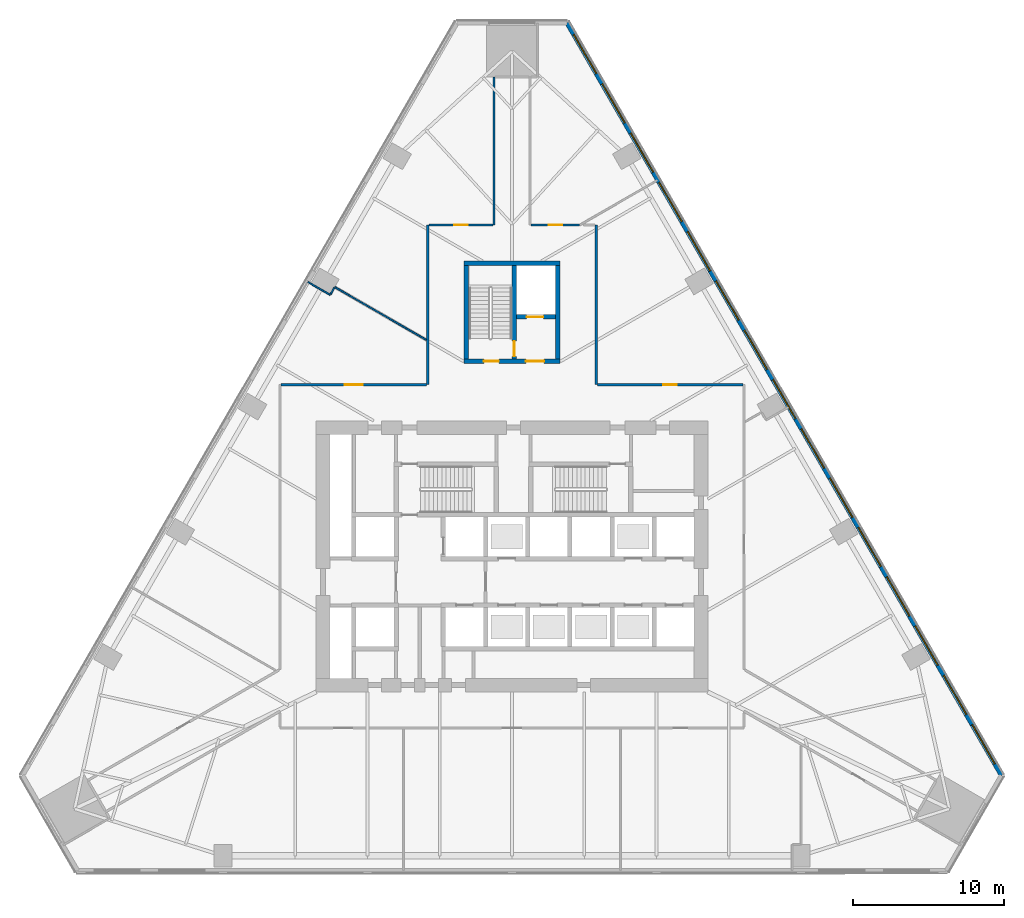
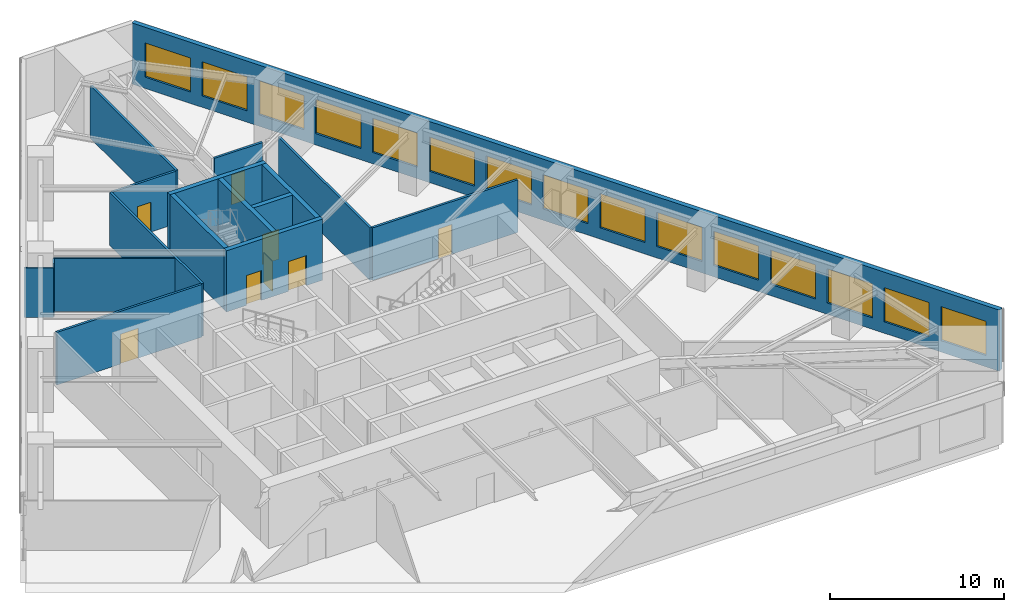
# One storey, part 6 of 14: 17 walls, 15 windows, 8 doors, 23 openings.
"""IFC4 building model written with IfcOpenShell, lengths in metres."""

from ifc_helpers import new_model, si_unit, direction, frame, frame_2d, origin, place, context, subcontext, project, spatial, rectangle, extrude, material, layer, layer_set, type_object, element, fill, save


model = new_model("IFC4")

# Units and contexts
model_context = context("Model", 3, precision=1e-05, world=origin(), true_north=direction((0.0, 1.0)))
body_context = subcontext(model_context, "Body", "Model", "MODEL_VIEW")
ifc_project = project(units=[si_unit("LENGTHUNIT", "METRE"), si_unit("AREAUNIT", "SQUARE_METRE"), si_unit("VOLUMEUNIT", "CUBIC_METRE"), si_unit("PLANEANGLEUNIT", "RADIAN"), si_unit("MASSUNIT", "GRAM", prefix="KILO")], contexts=[model_context])

# Site, building, storey
site_placement = place(None, origin())
site = spatial("IfcSite", under=ifc_project, at=site_placement, CompositionType="ELEMENT")
building_placement = place(site_placement, origin())
building = spatial("IfcBuilding", under=site, at=building_placement, Name="Firuza Gate Tower and Library", CompositionType="ELEMENT")
storey_placement = place(building_placement, frame((0.0, 0.0, 35.5)))
storey = spatial("IfcBuildingStorey", under=building, at=storey_placement, Name="L07", CompositionType="ELEMENT", Elevation=35.5)

# Wall, openings, doors
ifc_material_1 = material(Name="Concrete C80/95", Category="concrete")
ifc_layer_1 = layer(ifc_material_1, 0.300048828125)
ifc_layer_set_1 = layer_set([ifc_layer_1], Name="Core wall 300 C80/95")
wall_type_1 = type_object("IfcWallType", Name="Core wall 300 C80/95", PredefinedType="SHEAR", material=ifc_layer_set_1)
wall_1_placement = place(storey_placement, frame((71.800048828125, 87.949951171875, 0.0), z_axis=(0.0, 0.0, 1.0), x_axis=(1.0, 0.0, 0.0)))
wall_1 = element("IfcWall", 1, at=wall_1_placement, inside=storey, type_object=wall_type_1, Name="Core wall L07 34", PredefinedType="SHEAR", context=body_context, shape_type="SweptSolid", body=[
    extrude(rectangle(XDim=6.39990234375, YDim=0.300048828125, at=frame_2d((3.199951171875, 0.0))), origin(), (0.0, 0.0, 1.0), 4.300048828125),
])
opening_1_placement = place(wall_1_placement, frame((1.324951171875, 0.0, 0.0)))
opening_1 = element("IfcOpeningElement", 2, at=opening_1_placement, cuts=wall_1, Name="Opening L07-K17", PredefinedType="OPENING", context=body_context, shape_type="SweptSolid", body=[
    extrude(rectangle(XDim=1.0, YDim=2.10009765625, at=frame_2d((0.5, 1.050048828125))), frame((0.0, 0.16015625, 0.0), z_axis=(0.0, -1.0, 0.0), x_axis=(1.0, 0.0, 0.0)), (0.0, 0.0, 1.0), 0.320068359375),
])
opening_2_placement = place(wall_1_placement, frame((4.125, 0.0, 0.0)))
opening_2 = element("IfcOpeningElement", 3, at=opening_2_placement, cuts=wall_1, Name="Opening L07-K19", PredefinedType="OPENING", context=body_context, shape_type="SweptSolid", body=[
    extrude(rectangle(XDim=1.199951171875, YDim=2.10009765625, at=frame_2d((0.60009765625, 1.050048828125))), frame((0.0, 0.16015625, 0.0), z_axis=(0.0, -1.0, 0.0), x_axis=(1.0, 0.0, 0.0)), (0.0, 0.0, 1.0), 0.320068359375),
])
ifc_material_2 = material(Name="Steel", Category="steel")
door_type_1 = type_object("IfcDoorType", Name="Fire door 1000x2100 FD90", OperationType="NOTDEFINED", PredefinedType="DOOR", material=ifc_material_2)
door_1_placement = place(opening_1_placement, origin())
door_1 = element("IfcDoor", 4, at=door_1_placement, inside=storey, type_object=door_type_1, Name="Door L07-K17", OperationType="SINGLE_SWING_RIGHT", OverallHeight=2.10009765625, OverallWidth=1.0, PredefinedType="DOOR", context=body_context, shape_type="SweptSolid", body=[
    extrude(rectangle(XDim=1.0, YDim=2.10009765625, at=frame_2d((0.5, 1.050048828125))), frame((0.0, 0.02490234375, 0.0), z_axis=(0.0, -1.0, 0.0), x_axis=(1.0, 0.0, 0.0)), (0.0, 0.0, 1.0), 0.050048828125),
])
fill(opening_1, door_1)
ifc_material_3 = material(Name="Steel", Category="steel")
door_type_2 = type_object("IfcDoorType", Name="Fire door 1200x2100 FD30S", OperationType="NOTDEFINED", PredefinedType="DOOR", material=ifc_material_3)
door_2_placement = place(opening_2_placement, origin())
door_2 = element("IfcDoor", 5, at=door_2_placement, inside=storey, type_object=door_type_2, Name="Door L07-K19", OperationType="SINGLE_SWING_RIGHT", OverallHeight=2.10009765625, OverallWidth=1.199951171875, PredefinedType="DOOR", context=body_context, shape_type="SweptSolid", body=[
    extrude(rectangle(XDim=1.199951171875, YDim=2.10009765625, at=frame_2d((0.60009765625, 1.050048828125))), frame((0.0, 0.02490234375, 0.0), z_axis=(0.0, -1.0, 0.0), x_axis=(1.0, 0.0, 0.0)), (0.0, 0.0, 1.0), 0.050048828125),
])
fill(opening_2, door_2)

# Walls
wall_2_placement = place(storey_placement, frame((71.800048828125, 94.449951171875, 0.0), z_axis=(0.0, 0.0, 1.0), x_axis=(1.0, 0.0, 0.0)))
element("IfcWall", 6, at=wall_2_placement, inside=storey, type_object=wall_type_1, Name="Core wall L07 35", PredefinedType="SHEAR", context=body_context, shape_type="SweptSolid", body=[
    extrude(rectangle(XDim=6.39990234375, YDim=0.300048828125, at=frame_2d((3.199951171875, 0.0))), origin(), (0.0, 0.0, 1.0), 4.300048828125),
])
for number, where, z_axis, x_axis, name in (
    (7, (71.949951171875, 88.10009765625, 0.0), (0.0, 0.0, 1.0), (0.0, 1.0, 0.0), "Core wall L07 36"),
    (8, (78.050048828125, 88.10009765625, 0.0), (0.0, 0.0, 1.0), (0.0, 1.0, 0.0), "Core wall L07 37"),
):
    element("IfcWall", number, at=place(storey_placement, frame(where, z_axis=z_axis, x_axis=x_axis)), inside=storey, type_object=wall_type_1, Name=name, PredefinedType="SHEAR", context=body_context, shape_type="SweptSolid", body=[
        extrude(rectangle(XDim=6.199951171875, YDim=0.300048828125, at=frame_2d((3.10009765625, 0.0))), origin(), (0.0, 0.0, 1.0), 4.300048828125),
    ])

# Wall, opening, door
wall_3_placement = place(storey_placement, frame((75.300048828125, 90.89990234375, 0.0), z_axis=(0.0, 0.0, 1.0), x_axis=(1.0, 0.0, 0.0)))
wall_3 = element("IfcWall", 9, at=wall_3_placement, inside=storey, type_object=wall_type_1, Name="Core wall L07 38", PredefinedType="SHEAR", context=body_context, shape_type="SweptSolid", body=[
    extrude(rectangle(XDim=2.599853515625, YDim=0.300048828125, at=frame_2d((1.2998046875, 0.0))), origin(), (0.0, 0.0, 1.0), 4.300048828125),
])
opening_3_placement = place(wall_3_placement, frame((0.675048828125, 0.0, 0.0)))
opening_3 = element("IfcOpeningElement", 10, at=opening_3_placement, cuts=wall_3, Name="Opening LD-SV1-L07", PredefinedType="OPENING", context=body_context, shape_type="SweptSolid", body=[
    extrude(rectangle(XDim=1.10009765625, YDim=2.10009765625, at=frame_2d((0.550048828125, 1.050048828125))), frame((0.0, 0.16015625, 0.0), z_axis=(0.0, -1.0, 0.0), x_axis=(1.0, 0.0, 0.0)), (0.0, 0.0, 1.0), 0.320068359375),
])
ifc_material_4 = material(Name="Stainless steel", Category="steel")
door_type_3 = type_object("IfcDoorType", Name="Lift landing door 1100x2100", OperationType="DOUBLE_DOOR_SLIDING", PredefinedType="DOOR", material=ifc_material_4)
door_3_placement = place(opening_3_placement, origin())
door_3 = element("IfcDoor", 11, at=door_3_placement, inside=storey, type_object=door_type_3, Name="Landing door SV1 L07", OperationType="DOUBLE_DOOR_SLIDING", OverallHeight=2.10009765625, OverallWidth=1.10009765625, PredefinedType="DOOR", context=body_context, shape_type="SweptSolid", body=[
    extrude(rectangle(XDim=1.10009765625, YDim=2.10009765625, at=frame_2d((0.550048828125, 1.050048828125))), frame((0.0, 0.02490234375, 0.0), z_axis=(0.0, -1.0, 0.0), x_axis=(1.0, 0.0, 0.0)), (0.0, 0.0, 1.0), 0.050048828125),
])
fill(opening_3, door_3)

wall_4_placement = place(storey_placement, frame((75.14990234375, 88.10009765625, 0.0), z_axis=(0.0, 0.0, 1.0), x_axis=(0.0, 1.0, 0.0)))
wall_4 = element("IfcWall", 12, at=wall_4_placement, inside=storey, type_object=wall_type_1, Name="Core wall L07 39", PredefinedType="SHEAR", context=body_context, shape_type="SweptSolid", body=[
    extrude(rectangle(XDim=6.199951171875, YDim=0.300048828125, at=frame_2d((3.10009765625, 0.0))), origin(), (0.0, 0.0, 1.0), 4.300048828125),
])
opening_4_placement = place(wall_4_placement, frame((0.18505859375, 0.0, 0.0)))
opening_4 = element("IfcOpeningElement", 13, at=opening_4_placement, cuts=wall_4, Name="Opening L07-K18", PredefinedType="OPENING", context=body_context, shape_type="SweptSolid", body=[
    extrude(rectangle(XDim=1.0, YDim=2.10009765625, at=frame_2d((0.5, 1.050048828125))), frame((0.0, 0.16015625, 0.0), z_axis=(0.0, -1.0, 0.0), x_axis=(1.0, 0.0, 0.0)), (0.0, 0.0, 1.0), 0.320068359375),
])
door_4_placement = place(opening_4_placement, origin())
door_4 = element("IfcDoor", 14, at=door_4_placement, inside=storey, type_object=door_type_1, Name="Door L07-K18", OperationType="SINGLE_SWING_LEFT", OverallHeight=2.10009765625, OverallWidth=1.0, PredefinedType="DOOR", context=body_context, shape_type="SweptSolid", body=[
    extrude(rectangle(XDim=1.0, YDim=2.10009765625, at=frame_2d((0.5, 1.050048828125))), frame((0.0, 0.02490234375, 0.0), z_axis=(0.0, -1.0, 0.0), x_axis=(1.0, 0.0, 0.0)), (0.0, 0.0, 1.0), 0.050048828125),
])
fill(opening_4, door_4)

ifc_material_5 = material(Name="Gypsum board partition")
ifc_layer_2 = layer(ifc_material_5, 0.14990234375)
ifc_layer_set_2 = layer_set([ifc_layer_2], Name="Corridor wall 150 double board on steel studs")
wall_type_2 = type_object("IfcWallType", Name="Corridor wall 150 double board on steel studs", PredefinedType="PARTITIONING", material=ifc_layer_set_2)
wall_5_placement = place(storey_placement, frame((69.324951171875, 86.39990234375, 0.0), z_axis=(0.0, 0.0, 1.0), x_axis=(-1.0, 0.0, 0.0)))
wall_5 = element("IfcWall", 15, at=wall_5_placement, inside=storey, type_object=wall_type_2, Name="f:L07:w002", PredefinedType="PARTITIONING", context=body_context, shape_type="SweptSolid", body=[
    extrude(rectangle(XDim=9.6494140625, YDim=0.14990234375, at=frame_2d((4.82470703125, 0.0))), origin(), (0.0, 0.0, 1.0), 3.699951171875),
])
opening_5_placement = place(wall_5_placement, frame((4.224853515625, 0.0, 0.0)))
opening_5 = element("IfcOpeningElement", 16, at=opening_5_placement, cuts=wall_5, Name="Opening L07-04", PredefinedType="OPENING", context=body_context, shape_type="SweptSolid", body=[
    extrude(rectangle(XDim=1.199951171875, YDim=2.10009765625, at=frame_2d((0.60009765625, 1.050048828125))), frame((0.0, 0.0849609375, 0.0), z_axis=(0.0, -1.0, 0.0), x_axis=(1.0, 0.0, 0.0)), (0.0, 0.0, 1.0), 0.169921875),
])
ifc_material_6 = material(Name="Steel door and timber leaf", Category="steel")
door_type_4 = type_object("IfcDoorType", Name="Fire door 1200 x 2100 steel frame, double leaf", OperationType="NOTDEFINED", PredefinedType="DOOR", material=ifc_material_6)
door_5_placement = place(opening_5_placement, origin())
door_5 = element("IfcDoor", 17, at=door_5_placement, inside=storey, type_object=door_type_4, Name="f:L07:d004", OperationType="DOUBLE_DOOR_SINGLE_SWING", OverallHeight=2.10009765625, OverallWidth=1.199951171875, PredefinedType="DOOR", context=body_context, shape_type="SweptSolid", body=[
    extrude(rectangle(XDim=1.199951171875, YDim=2.10009765625, at=frame_2d((0.60009765625, 1.050048828125))), frame((0.0, 0.02490234375, 0.0), z_axis=(0.0, -1.0, 0.0), x_axis=(1.0, 0.0, 0.0)), (0.0, 0.0, 1.0), 0.050048828125),
])
fill(opening_5, door_5)

wall_6_placement = place(storey_placement, frame((80.675048828125, 86.39990234375, 0.0), z_axis=(0.0, 0.0, 1.0), x_axis=(1.0, 0.0, 0.0)))
wall_6 = element("IfcWall", 18, at=wall_6_placement, inside=storey, type_object=wall_type_2, Name="f:L07:w003", PredefinedType="PARTITIONING", context=body_context, shape_type="SweptSolid", body=[
    extrude(rectangle(XDim=9.6494140625, YDim=0.14990234375, at=frame_2d((4.82470703125, 0.0))), origin(), (0.0, 0.0, 1.0), 3.699951171875),
])
opening_6_placement = place(wall_6_placement, frame((4.374755859375, 0.0, 0.0)))
opening_6 = element("IfcOpeningElement", 19, at=opening_6_placement, cuts=wall_6, Name="Opening L07-05", PredefinedType="OPENING", context=body_context, shape_type="SweptSolid", body=[
    extrude(rectangle(XDim=0.89990234375, YDim=2.10009765625, at=frame_2d((0.449951171875, 1.050048828125))), frame((0.0, 0.0849609375, 0.0), z_axis=(0.0, -1.0, 0.0), x_axis=(1.0, 0.0, 0.0)), (0.0, 0.0, 1.0), 0.169921875),
])
ifc_material_7 = material(Name="Steel door and timber leaf", Category="steel")
door_type_5 = type_object("IfcDoorType", Name="Fire door 900 x 2100 steel frame, timber leaf", OperationType="NOTDEFINED", PredefinedType="DOOR", material=ifc_material_7)
door_6_placement = place(opening_6_placement, origin())
door_6 = element("IfcDoor", 20, at=door_6_placement, inside=storey, type_object=door_type_5, Name="f:L07:d005", OperationType="SINGLE_SWING_RIGHT", OverallHeight=2.10009765625, OverallWidth=0.89990234375, PredefinedType="DOOR", context=body_context, shape_type="SweptSolid", body=[
    extrude(rectangle(XDim=0.89990234375, YDim=2.10009765625, at=frame_2d((0.449951171875, 1.050048828125))), frame((0.0, 0.02490234375, 0.0), z_axis=(0.0, -1.0, 0.0), x_axis=(1.0, 0.0, 0.0)), (0.0, 0.0, 1.0), 0.050048828125),
])
fill(opening_6, door_6)

wall_7_placement = place(storey_placement, frame((69.4755859375, 97.0, 0.0), z_axis=(0.0, 0.0, 1.0), x_axis=(1.0, 0.0, 0.0)))
wall_7 = element("IfcWall", 21, at=wall_7_placement, inside=storey, type_object=wall_type_2, Name="f:L07:w004", PredefinedType="PARTITIONING", context=body_context, shape_type="SweptSolid", body=[
    extrude(rectangle(XDim=4.24951171875, YDim=0.14990234375, at=frame_2d((2.124755859375, 0.0))), origin(), (0.0, 0.0, 1.0), 3.699951171875),
])
opening_7_placement = place(wall_7_placement, frame((1.6748046875, 0.0, 0.0)))
opening_7 = element("IfcOpeningElement", 22, at=opening_7_placement, cuts=wall_7, Name="Opening L07-06", PredefinedType="OPENING", context=body_context, shape_type="SweptSolid", body=[
    extrude(rectangle(XDim=0.89990234375, YDim=2.10009765625, at=frame_2d((0.449951171875, 1.050048828125))), frame((0.0, 0.0849609375, 0.0), z_axis=(0.0, -1.0, 0.0), x_axis=(1.0, 0.0, 0.0)), (0.0, 0.0, 1.0), 0.169921875),
])
door_7_placement = place(opening_7_placement, origin())
door_7 = element("IfcDoor", 23, at=door_7_placement, inside=storey, type_object=door_type_5, Name="f:L07:d006", OperationType="SINGLE_SWING_RIGHT", OverallHeight=2.10009765625, OverallWidth=0.89990234375, PredefinedType="DOOR", context=body_context, shape_type="SweptSolid", body=[
    extrude(rectangle(XDim=0.89990234375, YDim=2.10009765625, at=frame_2d((0.449951171875, 1.050048828125))), frame((0.0, 0.02490234375, 0.0), z_axis=(0.0, -1.0, 0.0), x_axis=(1.0, 0.0, 0.0)), (0.0, 0.0, 1.0), 0.050048828125),
])
fill(opening_7, door_7)

wall_8_placement = place(storey_placement, frame((76.27490234375, 97.0, 0.0), z_axis=(0.0, 0.0, 1.0), x_axis=(1.0, 0.0, 0.0)))
wall_8 = element("IfcWall", 24, at=wall_8_placement, inside=storey, type_object=wall_type_2, Name="f:L07:w005", PredefinedType="PARTITIONING", context=body_context, shape_type="SweptSolid", body=[
    extrude(rectangle(XDim=3.205078125, YDim=0.14990234375, at=frame_2d((1.6025390625, 0.0))), origin(), (0.0, 0.0, 1.0), 3.699951171875),
])
opening_8_placement = place(wall_8_placement, frame((1.152587890625, 0.0, 0.0)))
opening_8 = element("IfcOpeningElement", 25, at=opening_8_placement, cuts=wall_8, Name="Opening L07-07", PredefinedType="OPENING", context=body_context, shape_type="SweptSolid", body=[
    extrude(rectangle(XDim=0.89990234375, YDim=2.10009765625, at=frame_2d((0.449951171875, 1.050048828125))), frame((0.0, 0.0849609375, 0.0), z_axis=(0.0, -1.0, 0.0), x_axis=(1.0, 0.0, 0.0)), (0.0, 0.0, 1.0), 0.169921875),
])
door_8_placement = place(opening_8_placement, origin())
door_8 = element("IfcDoor", 26, at=door_8_placement, inside=storey, type_object=door_type_5, Name="f:L07:d007", OperationType="SINGLE_SWING_LEFT", OverallHeight=2.10009765625, OverallWidth=0.89990234375, PredefinedType="DOOR", context=body_context, shape_type="SweptSolid", body=[
    extrude(rectangle(XDim=0.89990234375, YDim=2.10009765625, at=frame_2d((0.449951171875, 1.050048828125))), frame((0.0, 0.02490234375, 0.0), z_axis=(0.0, -1.0, 0.0), x_axis=(1.0, 0.0, 0.0)), (0.0, 0.0, 1.0), 0.050048828125),
])
fill(opening_8, door_8)

# Walls
wall_9_placement = place(storey_placement, frame((80.60009765625, 86.39990234375, 0.0), z_axis=(0.0, 0.0, 1.0), x_axis=(0.0, 1.0, 0.0)))
element("IfcWall", 27, at=wall_9_placement, inside=storey, type_object=wall_type_2, Name="f:L07:w020", PredefinedType="PARTITIONING", context=body_context, shape_type="SweptSolid", body=[
    extrude(rectangle(XDim=10.599609375, YDim=0.14990234375, at=frame_2d((5.2998046875, 0.0))), origin(), (0.0, 0.0, 1.0), 3.699951171875),
])
wall_10_placement = place(storey_placement, frame((73.800048828125, 97.0, 0.0), z_axis=(0.0, 0.0, 1.0), x_axis=(0.0, 1.0, 0.0)))
element("IfcWall", 28, at=wall_10_placement, inside=storey, type_object=wall_type_2, Name="f:L07:w023", PredefinedType="PARTITIONING", context=body_context, shape_type="SweptSolid", body=[
    extrude(rectangle(XDim=9.833251953125, YDim=0.14990234375, at=frame_2d((4.91650390625, 0.0))), origin(), (0.0, 0.0, 1.0), 3.699951171875),
])
wall_11_placement = place(storey_placement, frame((69.39990234375, 86.39990234375, 0.0), z_axis=(0.0, 0.0, 1.0), x_axis=(0.0, 1.0, 0.0)))
element("IfcWall", 29, at=wall_11_placement, inside=storey, type_object=wall_type_2, Name="f:L07:w024", PredefinedType="PARTITIONING", context=body_context, shape_type="SweptSolid", body=[
    extrude(rectangle(XDim=10.599609375, YDim=0.14990234375, at=frame_2d((5.2998046875, 0.0))), origin(), (0.0, 0.0, 1.0), 3.699951171875),
])
ifc_material_8 = material(Name="Gypsum board partition")
ifc_layer_3 = layer(ifc_material_8, 0.10009765625)
ifc_layer_set_3 = layer_set([ifc_layer_3], Name="Partition 100 gypsum board on steel studs")
wall_type_3 = type_object("IfcWallType", Name="Partition 100 gypsum board on steel studs", PredefinedType="PARTITIONING", material=ifc_layer_set_3)
wall_12_placement = place(storey_placement, frame((62.953857421875, 92.405517578125, 0.0), z_axis=(0.0, 0.0, 1.0), x_axis=(0.500187988959, 0.865916841101, 0.0)))
element("IfcWall", 30, at=wall_12_placement, inside=storey, type_object=wall_type_3, Name="f:L07:w014", PredefinedType="PARTITIONING", context=body_context, shape_type="SweptSolid", body=[
    extrude(rectangle(XDim=0.499267578125, YDim=0.10009765625, at=frame_2d((0.24951171875, 0.0))), origin(), (0.0, 0.0, 1.0), 3.699951171875),
])
wall_13_placement = place(storey_placement, frame((69.299072265625, 89.376708984375, 0.0), z_axis=(0.0, 0.0, 1.0), x_axis=(-0.8660353544, 0.499982764632, 0.0)))
element("IfcWall", 31, at=wall_13_placement, inside=storey, type_object=wall_type_3, Name="f:L07:w030", PredefinedType="PARTITIONING", context=body_context, shape_type="SweptSolid", body=[
    extrude(rectangle(XDim=7.009033203125, YDim=0.10009765625, at=frame_2d((3.50439453125, 0.0))), origin(), (0.0, 0.0, 1.0), 3.699951171875),
])
wall_14_placement = place(storey_placement, frame((62.928466796875, 92.36181640625, 0.0), z_axis=(0.0, 0.0, 1.0), x_axis=(-0.866026058841, 0.499998865407, 0.0)))
element("IfcWall", 32, at=wall_14_placement, inside=storey, type_object=wall_type_3, Name="f:L07:w031", PredefinedType="PARTITIONING", context=body_context, shape_type="SweptSolid", body=[
    extrude(rectangle(XDim=1.70751953125, YDim=0.10009765625, at=frame_2d((0.853759765625, 0.0))), origin(), (0.0, 0.0, 1.0), 3.465087890625),
])

# Wall, openings, windows
ifc_material_9 = material(Name="Concrete C40/50", Category="concrete")
ifc_layer_4 = layer(ifc_material_9, 0.300048828125)
ifc_layer_set_4 = layer_set([ifc_layer_4], Name="Plant louvre wall 300")
wall_type_4 = type_object("IfcWallType", Name="Plant louvre wall 300", PredefinedType="SOLIDWALL", material=ifc_layer_set_4)
wall_15_placement = place(storey_placement, frame((107.50390625, 60.45068359375, 0.0), z_axis=(0.0, 0.0, 1.0), x_axis=(-0.500000550228, 0.86602508611, 0.0)))
wall_15 = element("IfcWall", 33, at=wall_15_placement, inside=storey, type_object=wall_type_4, Name="Plant louvre wall 3", PredefinedType="SOLIDWALL", context=body_context, shape_type="SweptSolid", body=[
    extrude(rectangle(XDim=57.7041015625, YDim=0.300048828125, at=frame_2d((28.85205078125, 0.0))), origin(), (0.0, 0.0, 1.0), 4.300048828125),
])
opening_9_placement = place(wall_15_placement, frame((0.89013671875, 0.0, 0.800048828125)))
opening_9 = element("IfcOpeningElement", 34, at=opening_9_placement, cuts=wall_15, Name="Opening WD3-006", PredefinedType="OPENING", context=body_context, shape_type="SweptSolid", body=[
    extrude(rectangle(XDim=3.0, YDim=2.39990234375, at=frame_2d((1.5, 1.199951171875))), frame((0.0, 0.16015625, 0.0), z_axis=(0.0, -1.0, 0.0), x_axis=(1.0, 0.0, 0.0)), (0.0, 0.0, 1.0), 0.320068359375),
])
opening_10_placement = place(wall_15_placement, frame((4.67041015625, 0.0, 0.800048828125)))
opening_10 = element("IfcOpeningElement", 35, at=opening_10_placement, cuts=wall_15, Name="Opening WD3-007", PredefinedType="OPENING", context=body_context, shape_type="SweptSolid", body=[
    extrude(rectangle(XDim=3.0, YDim=2.39990234375, at=frame_2d((1.5, 1.199951171875))), frame((0.0, 0.16015625, 0.0), z_axis=(0.0, -1.0, 0.0), x_axis=(1.0, 0.0, 0.0)), (0.0, 0.0, 1.0), 0.320068359375),
])
opening_11_placement = place(wall_15_placement, frame((8.45068359375, 0.0, 0.800048828125)))
opening_11 = element("IfcOpeningElement", 36, at=opening_11_placement, cuts=wall_15, Name="Opening WD3-008", PredefinedType="OPENING", context=body_context, shape_type="SweptSolid", body=[
    extrude(rectangle(XDim=3.0, YDim=2.39990234375, at=frame_2d((1.5, 1.199951171875))), frame((0.0, 0.16015625, 0.0), z_axis=(0.0, -1.0, 0.0), x_axis=(1.0, 0.0, 0.0)), (0.0, 0.0, 1.0), 0.320068359375),
])
opening_12_placement = place(wall_15_placement, frame((12.23095703125, 0.0, 0.800048828125)))
opening_12 = element("IfcOpeningElement", 37, at=opening_12_placement, cuts=wall_15, Name="Opening WD3-009", PredefinedType="OPENING", context=body_context, shape_type="SweptSolid", body=[
    extrude(rectangle(XDim=3.0, YDim=2.39990234375, at=frame_2d((1.5, 1.199951171875))), frame((0.0, 0.16015625, 0.0), z_axis=(0.0, -1.0, 0.0), x_axis=(1.0, 0.0, 0.0)), (0.0, 0.0, 1.0), 0.320068359375),
])
opening_13_placement = place(wall_15_placement, frame((16.01123046875, 0.0, 0.800048828125)))
opening_13 = element("IfcOpeningElement", 38, at=opening_13_placement, cuts=wall_15, Name="Opening WD3-010", PredefinedType="OPENING", context=body_context, shape_type="SweptSolid", body=[
    extrude(rectangle(XDim=3.0, YDim=2.39990234375, at=frame_2d((1.5, 1.199951171875))), frame((0.0, 0.16015625, 0.0), z_axis=(0.0, -1.0, 0.0), x_axis=(1.0, 0.0, 0.0)), (0.0, 0.0, 1.0), 0.320068359375),
])
opening_14_placement = place(wall_15_placement, frame((19.79150390625, 0.0, 0.800048828125)))
opening_14 = element("IfcOpeningElement", 39, at=opening_14_placement, cuts=wall_15, Name="Opening WD3-011", PredefinedType="OPENING", context=body_context, shape_type="SweptSolid", body=[
    extrude(rectangle(XDim=3.0, YDim=2.39990234375, at=frame_2d((1.5, 1.199951171875))), frame((0.0, 0.16015625, 0.0), z_axis=(0.0, -1.0, 0.0), x_axis=(1.0, 0.0, 0.0)), (0.0, 0.0, 1.0), 0.320068359375),
])
opening_15_placement = place(wall_15_placement, frame((23.57177734375, 0.0, 0.800048828125)))
opening_15 = element("IfcOpeningElement", 40, at=opening_15_placement, cuts=wall_15, Name="Opening WD3-012", PredefinedType="OPENING", context=body_context, shape_type="SweptSolid", body=[
    extrude(rectangle(XDim=3.0, YDim=2.39990234375, at=frame_2d((1.5, 1.199951171875))), frame((0.0, 0.16015625, 0.0), z_axis=(0.0, -1.0, 0.0), x_axis=(1.0, 0.0, 0.0)), (0.0, 0.0, 1.0), 0.320068359375),
])
opening_16_placement = place(wall_15_placement, frame((27.35205078125, 0.0, 0.800048828125)))
opening_16 = element("IfcOpeningElement", 41, at=opening_16_placement, cuts=wall_15, Name="Opening WD3-013", PredefinedType="OPENING", context=body_context, shape_type="SweptSolid", body=[
    extrude(rectangle(XDim=3.0, YDim=2.39990234375, at=frame_2d((1.5, 1.199951171875))), frame((0.0, 0.16015625, 0.0), z_axis=(0.0, -1.0, 0.0), x_axis=(1.0, 0.0, 0.0)), (0.0, 0.0, 1.0), 0.320068359375),
])
opening_17_placement = place(wall_15_placement, frame((31.13232421875, 0.0, 0.800048828125)))
opening_17 = element("IfcOpeningElement", 42, at=opening_17_placement, cuts=wall_15, Name="Opening WD3-014", PredefinedType="OPENING", context=body_context, shape_type="SweptSolid", body=[
    extrude(rectangle(XDim=3.0, YDim=2.39990234375, at=frame_2d((1.5, 1.199951171875))), frame((0.0, 0.16015625, 0.0), z_axis=(0.0, -1.0, 0.0), x_axis=(1.0, 0.0, 0.0)), (0.0, 0.0, 1.0), 0.320068359375),
])
opening_18_placement = place(wall_15_placement, frame((34.91259765625, 0.0, 0.800048828125)))
opening_18 = element("IfcOpeningElement", 43, at=opening_18_placement, cuts=wall_15, Name="Opening WD3-015", PredefinedType="OPENING", context=body_context, shape_type="SweptSolid", body=[
    extrude(rectangle(XDim=3.0, YDim=2.39990234375, at=frame_2d((1.5, 1.199951171875))), frame((0.0, 0.16015625, 0.0), z_axis=(0.0, -1.0, 0.0), x_axis=(1.0, 0.0, 0.0)), (0.0, 0.0, 1.0), 0.320068359375),
])
opening_19_placement = place(wall_15_placement, frame((38.692626953125, 0.0, 0.800048828125)))
opening_19 = element("IfcOpeningElement", 44, at=opening_19_placement, cuts=wall_15, Name="Opening WD3-016", PredefinedType="OPENING", context=body_context, shape_type="SweptSolid", body=[
    extrude(rectangle(XDim=3.0, YDim=2.39990234375, at=frame_2d((1.5, 1.199951171875))), frame((0.0, 0.16015625, 0.0), z_axis=(0.0, -1.0, 0.0), x_axis=(1.0, 0.0, 0.0)), (0.0, 0.0, 1.0), 0.320068359375),
])
opening_20_placement = place(wall_15_placement, frame((42.472900390625, 0.0, 0.800048828125)))
opening_20 = element("IfcOpeningElement", 45, at=opening_20_placement, cuts=wall_15, Name="Opening WD3-017", PredefinedType="OPENING", context=body_context, shape_type="SweptSolid", body=[
    extrude(rectangle(XDim=3.0, YDim=2.39990234375, at=frame_2d((1.5, 1.199951171875))), frame((0.0, 0.16015625, 0.0), z_axis=(0.0, -1.0, 0.0), x_axis=(1.0, 0.0, 0.0)), (0.0, 0.0, 1.0), 0.320068359375),
])
opening_21_placement = place(wall_15_placement, frame((46.253173828125, 0.0, 0.800048828125)))
opening_21 = element("IfcOpeningElement", 46, at=opening_21_placement, cuts=wall_15, Name="Opening WD3-018", PredefinedType="OPENING", context=body_context, shape_type="SweptSolid", body=[
    extrude(rectangle(XDim=3.0, YDim=2.39990234375, at=frame_2d((1.5, 1.199951171875))), frame((0.0, 0.16015625, 0.0), z_axis=(0.0, -1.0, 0.0), x_axis=(1.0, 0.0, 0.0)), (0.0, 0.0, 1.0), 0.320068359375),
])
opening_22_placement = place(wall_15_placement, frame((50.033447265625, 0.0, 0.800048828125)))
opening_22 = element("IfcOpeningElement", 47, at=opening_22_placement, cuts=wall_15, Name="Opening WD3-019", PredefinedType="OPENING", context=body_context, shape_type="SweptSolid", body=[
    extrude(rectangle(XDim=3.0, YDim=2.39990234375, at=frame_2d((1.5, 1.199951171875))), frame((0.0, 0.16015625, 0.0), z_axis=(0.0, -1.0, 0.0), x_axis=(1.0, 0.0, 0.0)), (0.0, 0.0, 1.0), 0.320068359375),
])
opening_23_placement = place(wall_15_placement, frame((53.813720703125, 0.0, 0.800048828125)))
opening_23 = element("IfcOpeningElement", 48, at=opening_23_placement, cuts=wall_15, Name="Opening WD3-020", PredefinedType="OPENING", context=body_context, shape_type="SweptSolid", body=[
    extrude(rectangle(XDim=3.0, YDim=2.39990234375, at=frame_2d((1.5, 1.199951171875))), frame((0.0, 0.16015625, 0.0), z_axis=(0.0, -1.0, 0.0), x_axis=(1.0, 0.0, 0.0)), (0.0, 0.0, 1.0), 0.320068359375),
])
ifc_material_10 = material(Name="Aluminium 6063-T6", Category="aluminium")
window_type = type_object("IfcWindowType", Name="Plant louvre 3000x2400", PartitioningType="SINGLE_PANEL", PredefinedType="WINDOW", material=ifc_material_10)
window_1_placement = place(opening_9_placement, origin())
window_1 = element("IfcWindow", 49, at=window_1_placement, inside=storey, type_object=window_type, Name="e:pwall:L07:2/L0", OverallHeight=2.39990234375, OverallWidth=3.0, PartitioningType="SINGLE_PANEL", PredefinedType="WINDOW", context=body_context, shape_type="SweptSolid", body=[
    extrude(rectangle(XDim=3.0, YDim=2.39990234375, at=frame_2d((1.5, 1.199951171875))), frame((0.0, 0.030029296875, 0.0), z_axis=(0.0, -1.0, 0.0), x_axis=(1.0, 0.0, 0.0)), (0.0, 0.0, 1.0), 0.06005859375),
])
fill(opening_9, window_1)
window_2_placement = place(opening_10_placement, origin())
window_2 = element("IfcWindow", 50, at=window_2_placement, inside=storey, type_object=window_type, Name="e:pwall:L07:2/L1", OverallHeight=2.39990234375, OverallWidth=3.0, PartitioningType="SINGLE_PANEL", PredefinedType="WINDOW", context=body_context, shape_type="SweptSolid", body=[
    extrude(rectangle(XDim=3.0, YDim=2.39990234375, at=frame_2d((1.5, 1.199951171875))), frame((0.0, 0.030029296875, 0.0), z_axis=(0.0, -1.0, 0.0), x_axis=(1.0, 0.0, 0.0)), (0.0, 0.0, 1.0), 0.06005859375),
])
fill(opening_10, window_2)
window_3_placement = place(opening_11_placement, origin())
window_3 = element("IfcWindow", 51, at=window_3_placement, inside=storey, type_object=window_type, Name="e:pwall:L07:2/L2", OverallHeight=2.39990234375, OverallWidth=3.0, PartitioningType="SINGLE_PANEL", PredefinedType="WINDOW", context=body_context, shape_type="SweptSolid", body=[
    extrude(rectangle(XDim=3.0, YDim=2.39990234375, at=frame_2d((1.5, 1.199951171875))), frame((0.0, 0.030029296875, 0.0), z_axis=(0.0, -1.0, 0.0), x_axis=(1.0, 0.0, 0.0)), (0.0, 0.0, 1.0), 0.06005859375),
])
fill(opening_11, window_3)
window_4_placement = place(opening_12_placement, origin())
window_4 = element("IfcWindow", 52, at=window_4_placement, inside=storey, type_object=window_type, Name="e:pwall:L07:2/L3", OverallHeight=2.39990234375, OverallWidth=3.0, PartitioningType="SINGLE_PANEL", PredefinedType="WINDOW", context=body_context, shape_type="SweptSolid", body=[
    extrude(rectangle(XDim=3.0, YDim=2.39990234375, at=frame_2d((1.5, 1.199951171875))), frame((0.0, 0.030029296875, 0.0), z_axis=(0.0, -1.0, 0.0), x_axis=(1.0, 0.0, 0.0)), (0.0, 0.0, 1.0), 0.06005859375),
])
fill(opening_12, window_4)
window_5_placement = place(opening_13_placement, origin())
window_5 = element("IfcWindow", 53, at=window_5_placement, inside=storey, type_object=window_type, Name="e:pwall:L07:2/L4", OverallHeight=2.39990234375, OverallWidth=3.0, PartitioningType="SINGLE_PANEL", PredefinedType="WINDOW", context=body_context, shape_type="SweptSolid", body=[
    extrude(rectangle(XDim=3.0, YDim=2.39990234375, at=frame_2d((1.5, 1.199951171875))), frame((0.0, 0.030029296875, 0.0), z_axis=(0.0, -1.0, 0.0), x_axis=(1.0, 0.0, 0.0)), (0.0, 0.0, 1.0), 0.06005859375),
])
fill(opening_13, window_5)
window_6_placement = place(opening_14_placement, origin())
window_6 = element("IfcWindow", 54, at=window_6_placement, inside=storey, type_object=window_type, Name="e:pwall:L07:2/L5", OverallHeight=2.39990234375, OverallWidth=3.0, PartitioningType="SINGLE_PANEL", PredefinedType="WINDOW", context=body_context, shape_type="SweptSolid", body=[
    extrude(rectangle(XDim=3.0, YDim=2.39990234375, at=frame_2d((1.5, 1.199951171875))), frame((0.0, 0.030029296875, 0.0), z_axis=(0.0, -1.0, 0.0), x_axis=(1.0, 0.0, 0.0)), (0.0, 0.0, 1.0), 0.06005859375),
])
fill(opening_14, window_6)
window_7_placement = place(opening_15_placement, origin())
window_7 = element("IfcWindow", 55, at=window_7_placement, inside=storey, type_object=window_type, Name="e:pwall:L07:2/L6", OverallHeight=2.39990234375, OverallWidth=3.0, PartitioningType="SINGLE_PANEL", PredefinedType="WINDOW", context=body_context, shape_type="SweptSolid", body=[
    extrude(rectangle(XDim=3.0, YDim=2.39990234375, at=frame_2d((1.5, 1.199951171875))), frame((0.0, 0.030029296875, 0.0), z_axis=(0.0, -1.0, 0.0), x_axis=(1.0, 0.0, 0.0)), (0.0, 0.0, 1.0), 0.06005859375),
])
fill(opening_15, window_7)
window_8_placement = place(opening_16_placement, origin())
window_8 = element("IfcWindow", 56, at=window_8_placement, inside=storey, type_object=window_type, Name="e:pwall:L07:2/L7", OverallHeight=2.39990234375, OverallWidth=3.0, PartitioningType="SINGLE_PANEL", PredefinedType="WINDOW", context=body_context, shape_type="SweptSolid", body=[
    extrude(rectangle(XDim=3.0, YDim=2.39990234375, at=frame_2d((1.5, 1.199951171875))), frame((0.0, 0.030029296875, 0.0), z_axis=(0.0, -1.0, 0.0), x_axis=(1.0, 0.0, 0.0)), (0.0, 0.0, 1.0), 0.06005859375),
])
fill(opening_16, window_8)
window_9_placement = place(opening_17_placement, origin())
window_9 = element("IfcWindow", 57, at=window_9_placement, inside=storey, type_object=window_type, Name="e:pwall:L07:2/L8", OverallHeight=2.39990234375, OverallWidth=3.0, PartitioningType="SINGLE_PANEL", PredefinedType="WINDOW", context=body_context, shape_type="SweptSolid", body=[
    extrude(rectangle(XDim=3.0, YDim=2.39990234375, at=frame_2d((1.5, 1.199951171875))), frame((0.0, 0.030029296875, 0.0), z_axis=(0.0, -1.0, 0.0), x_axis=(1.0, 0.0, 0.0)), (0.0, 0.0, 1.0), 0.06005859375),
])
fill(opening_17, window_9)
window_10_placement = place(opening_18_placement, origin())
window_10 = element("IfcWindow", 58, at=window_10_placement, inside=storey, type_object=window_type, Name="e:pwall:L07:2/L9", OverallHeight=2.39990234375, OverallWidth=3.0, PartitioningType="SINGLE_PANEL", PredefinedType="WINDOW", context=body_context, shape_type="SweptSolid", body=[
    extrude(rectangle(XDim=3.0, YDim=2.39990234375, at=frame_2d((1.5, 1.199951171875))), frame((0.0, 0.030029296875, 0.0), z_axis=(0.0, -1.0, 0.0), x_axis=(1.0, 0.0, 0.0)), (0.0, 0.0, 1.0), 0.06005859375),
])
fill(opening_18, window_10)
window_11_placement = place(opening_19_placement, origin())
window_11 = element("IfcWindow", 59, at=window_11_placement, inside=storey, type_object=window_type, Name="e:pwall:L07:2/L10", OverallHeight=2.39990234375, OverallWidth=3.0, PartitioningType="SINGLE_PANEL", PredefinedType="WINDOW", context=body_context, shape_type="SweptSolid", body=[
    extrude(rectangle(XDim=3.0, YDim=2.39990234375, at=frame_2d((1.5, 1.199951171875))), frame((0.0, 0.030029296875, 0.0), z_axis=(0.0, -1.0, 0.0), x_axis=(1.0, 0.0, 0.0)), (0.0, 0.0, 1.0), 0.06005859375),
])
fill(opening_19, window_11)
window_12_placement = place(opening_20_placement, origin())
window_12 = element("IfcWindow", 60, at=window_12_placement, inside=storey, type_object=window_type, Name="e:pwall:L07:2/L11", OverallHeight=2.39990234375, OverallWidth=3.0, PartitioningType="SINGLE_PANEL", PredefinedType="WINDOW", context=body_context, shape_type="SweptSolid", body=[
    extrude(rectangle(XDim=3.0, YDim=2.39990234375, at=frame_2d((1.5, 1.199951171875))), frame((0.0, 0.030029296875, 0.0), z_axis=(0.0, -1.0, 0.0), x_axis=(1.0, 0.0, 0.0)), (0.0, 0.0, 1.0), 0.06005859375),
])
fill(opening_20, window_12)
window_13_placement = place(opening_21_placement, origin())
window_13 = element("IfcWindow", 61, at=window_13_placement, inside=storey, type_object=window_type, Name="e:pwall:L07:2/L12", OverallHeight=2.39990234375, OverallWidth=3.0, PartitioningType="SINGLE_PANEL", PredefinedType="WINDOW", context=body_context, shape_type="SweptSolid", body=[
    extrude(rectangle(XDim=3.0, YDim=2.39990234375, at=frame_2d((1.5, 1.199951171875))), frame((0.0, 0.030029296875, 0.0), z_axis=(0.0, -1.0, 0.0), x_axis=(1.0, 0.0, 0.0)), (0.0, 0.0, 1.0), 0.06005859375),
])
fill(opening_21, window_13)
window_14_placement = place(opening_22_placement, origin())
window_14 = element("IfcWindow", 62, at=window_14_placement, inside=storey, type_object=window_type, Name="e:pwall:L07:2/L13", OverallHeight=2.39990234375, OverallWidth=3.0, PartitioningType="SINGLE_PANEL", PredefinedType="WINDOW", context=body_context, shape_type="SweptSolid", body=[
    extrude(rectangle(XDim=3.0, YDim=2.39990234375, at=frame_2d((1.5, 1.199951171875))), frame((0.0, 0.030029296875, 0.0), z_axis=(0.0, -1.0, 0.0), x_axis=(1.0, 0.0, 0.0)), (0.0, 0.0, 1.0), 0.06005859375),
])
fill(opening_22, window_14)
window_15_placement = place(opening_23_placement, origin())
window_15 = element("IfcWindow", 63, at=window_15_placement, inside=storey, type_object=window_type, Name="e:pwall:L07:2/L14", OverallHeight=2.39990234375, OverallWidth=3.0, PartitioningType="SINGLE_PANEL", PredefinedType="WINDOW", context=body_context, shape_type="SweptSolid", body=[
    extrude(rectangle(XDim=3.0, YDim=2.39990234375, at=frame_2d((1.5, 1.199951171875))), frame((0.0, 0.030029296875, 0.0), z_axis=(0.0, -1.0, 0.0), x_axis=(1.0, 0.0, 0.0)), (0.0, 0.0, 1.0), 0.06005859375),
])
fill(opening_23, window_15)

save(model, "model.ifc")
